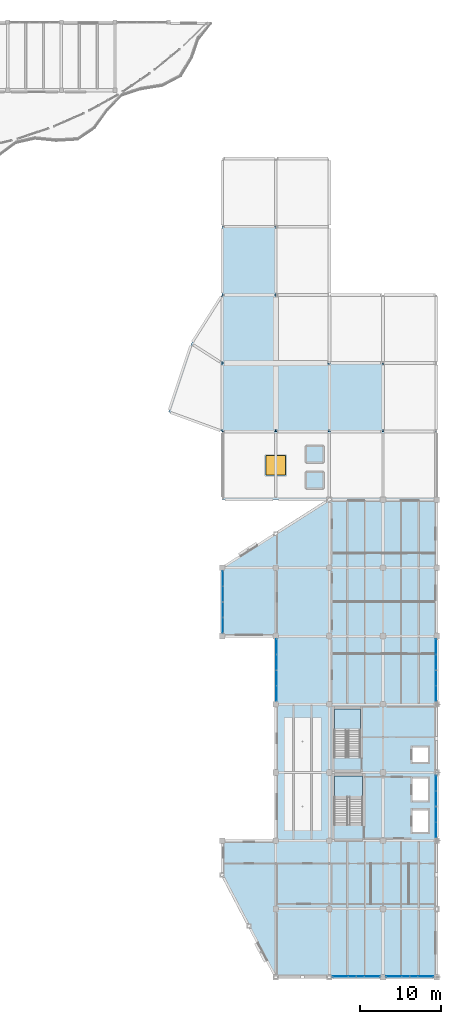
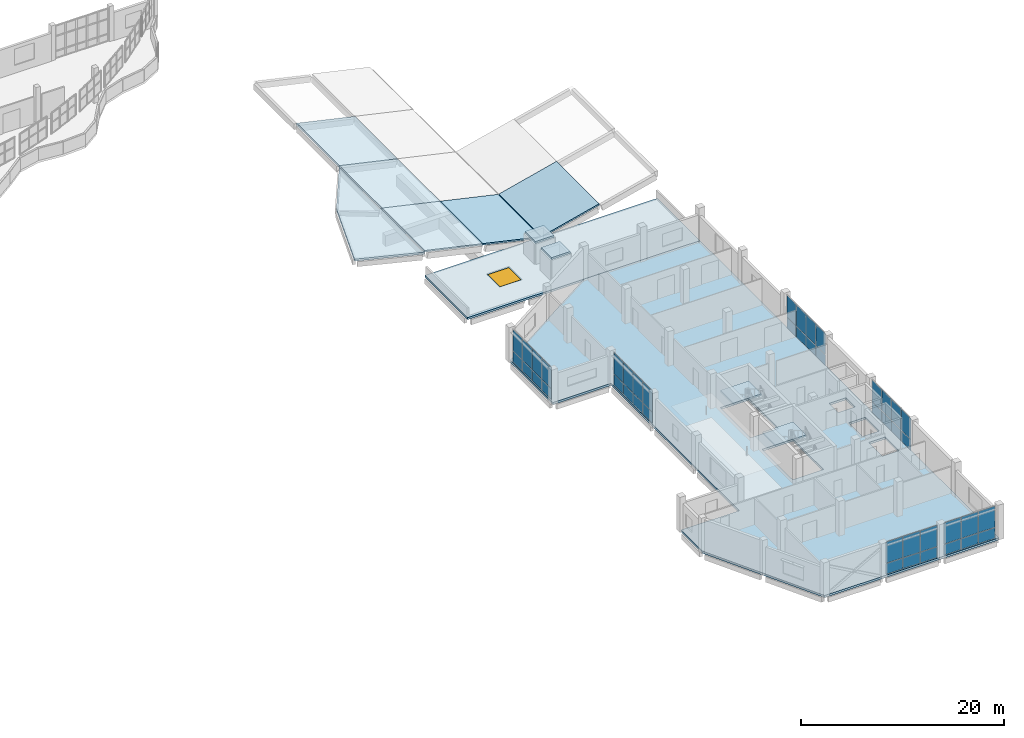
# One storey, part 31 of 47: 44 plates, 12 slabs, 1 window, 1 opening, 8 elements without a shape of their own.
"""IFC4 building model written with IfcOpenShell, lengths in metres."""

from ifc_helpers import new_model, si_unit, direction, frame, origin, origin_2d, place, context, subcontext, project, spatial, polyline, rectangle, outline, extrude, material, layer, layer_set, type_object, element, fill, aggregate, save


model = new_model("IFC4")

# Units and contexts
model_context = context("Model", 3, precision=1e-05, world=origin(), true_north=direction((0.0, 1.0)))
body_context = subcontext(model_context, "Body", "Model", "MODEL_VIEW")
ifc_project = project(units=[si_unit("LENGTHUNIT", "METRE"), si_unit("AREAUNIT", "SQUARE_METRE"), si_unit("VOLUMEUNIT", "CUBIC_METRE"), si_unit("PLANEANGLEUNIT", "RADIAN"), si_unit("MASSUNIT", "GRAM", prefix="KILO")], contexts=[model_context])

# Site, building, storey
site_placement = place(None, origin())
site = spatial("IfcSite", under=ifc_project, at=site_placement, CompositionType="ELEMENT")
building_placement = place(site_placement, origin())
building = spatial("IfcBuilding", under=site, at=building_placement, Name="Qaldarim Faculty of Natural and Applied Sciences", CompositionType="ELEMENT")
storey_placement = place(building_placement, frame((0.0, 0.0, 22.800048828125)))
storey = spatial("IfcBuildingStorey", under=building, at=storey_placement, Name="L05", CompositionType="ELEMENT", Elevation=22.800048828125)

# Slabs
ifc_material_1 = material(Name="Concrete C40/50", Category="concrete")
ifc_layer_1 = layer(ifc_material_1, 0.18994140625)
ifc_layer_set_1 = layer_set([ifc_layer_1], Name="Concrete C40/50")
slab_type_1 = type_object("IfcSlabType", Name="CommonsFoldedRoofSlab-190", PredefinedType="ROOF", material=ifc_layer_set_1)
slab_1_placement = place(storey_placement, frame((151.75830078125, 67.199951171875, 2.78466796875), z_axis=(0.219531946574, 0.0, 0.975605311811), x_axis=(0.975605311811, 0.0, -0.219531946574)))
element("IfcSlab", 1, at=slab_1_placement, inside=storey, type_object=slab_type_1, Name="Learning Commons folded butterfly roof panel X24Y09", PredefinedType="ROOF", context=body_context, shape_type="SweptSolid", body=[
    extrude(outline(polyline([(0.0, 0.0), (6.764880670212586, 0.0), (6.764880670212586, 8.400146484375), (0.0, 8.400146484375), (0.0, 0.0)])), origin(), (0.0, 0.0, 1.0), 0.18994140625),
])
for number, where, z_axis, x_axis, name in (
    (2, (151.75830078125, 75.60009765625, 2.78466796875), (0.219531946574, 0.0, 0.975605311811), (0.975605311811, 0.0, -0.219531946574), "Learning Commons folded butterfly roof panel X24Y10"),
    (3, (151.75830078125, 84.0, 2.78466796875), (0.219531946574, 0.0, 0.975605311811), (0.975605311811, 0.0, -0.219531946574), "Learning Commons folded butterfly roof panel X24Y11"),
):
    element("IfcSlab", number, at=place(storey_placement, frame(where, z_axis=z_axis, x_axis=x_axis)), inside=storey, type_object=slab_type_1, Name=name, PredefinedType="ROOF", context=body_context, shape_type="SweptSolid", body=[
        extrude(outline(polyline([(0.0, 0.0), (6.764880670212586, 0.0), (6.764880670212586, 8.39990234375), (0.0, 8.39990234375), (0.0, 0.0)])), origin(), (0.0, 0.0, 1.0), 0.18994140625),
    ])
slab_2_placement = place(storey_placement, frame((158.358154296875, 67.199951171875, 1.299560546875), z_axis=(0.219486275665, 0.0, 0.975615587614), x_axis=(0.975615587614, 0.0, -0.219486275665)))
element("IfcSlab", 4, at=slab_2_placement, inside=storey, type_object=slab_type_1, Name="Learning Commons folded butterfly roof panel X25Y09", PredefinedType="ROOF", context=body_context, shape_type="SweptSolid", body=[
    extrude(outline(polyline([(0.0, 0.0), (6.724019867083356, 0.0), (6.724019867083356, 8.400146484375), (0.0, 8.400146484375), (0.0, 0.0)])), origin(), (0.0, 0.0, 1.0), 0.18994140625),
])
slab_3_placement = place(storey_placement, frame((165.086181640625, 67.199951171875, -0.17431640625), z_axis=(-0.242518634316, 0.0, 0.970146747667), x_axis=(0.970146747667, 0.0, 0.242518634316)))
element("IfcSlab", 5, at=slab_3_placement, inside=storey, type_object=slab_type_1, Name="Learning Commons folded butterfly roof panel X26Y09", PredefinedType="ROOF", context=body_context, shape_type="SweptSolid", body=[
    extrude(outline(polyline([(0.0, 0.0), (6.761924017705515, 0.0), (6.761924017705515, 8.400146484375002), (0.0, 8.400146484375002), (0.0, 0.0)])), origin(), (0.0, 0.0, 1.0), 0.18994140625),
])

# Slab, opening, window
ifc_layer_2 = layer(ifc_material_1, 0.239990234375)
ifc_layer_set_2 = layer_set([ifc_layer_2], Name="Concrete C40/50")
slab_type_2 = type_object("IfcSlabType", Name="FlatStructuralRoofSlab-240", PredefinedType="ROOF", material=ifc_layer_set_2)
slab_4_placement = place(storey_placement, frame((0.0, 0.0, -0.239990234375)))
slab_4 = element("IfcSlab", 6, at=slab_4_placement, inside=storey, type_object=slab_type_2, Name="Learning Commons Core C maintenance roof slab L05", PredefinedType="ROOF", context=body_context, shape_type="SweptSolid", body=[
    extrude(outline(polyline([(151.800048828125, 58.800048828125), (178.199951171875, 58.800048828125), (178.199951171875, 67.199951171875), (151.800048828125, 67.199951171875), (151.800048828125, 58.800048828125)]), holes=[polyline([(157.199951171875, 61.800048828125), (159.60009765625, 61.800048828125), (159.60009765625, 64.199951171875), (157.199951171875, 64.199951171875), (157.199951171875, 61.800048828125)])]), origin(), (0.0, 0.0, 1.0), 0.239990234375),
])
opening_placement = place(slab_4_placement, frame((158.39990234375, 63.0, -0.010009765625)))
opening = element("IfcOpeningElement", 7, at=opening_placement, cuts=slab_4, Name="Opening SK01", PredefinedType="OPENING", context=body_context, shape_type="SweptSolid", body=[
    extrude(rectangle(XDim=2.39990234375, YDim=2.39990234375, at=origin_2d()), origin(), (0.0, 0.0, 1.0), 0.260009765625),
])
ifc_material_2 = material(Name="Insulated low-e double glazing", Category="glass")
window_type = type_object("IfcWindowType", Name="RoofSkylight-2400x2400", PartitioningType="SINGLE_PANEL", PredefinedType="SKYLIGHT", material=ifc_material_2)
window_placement = place(opening_placement, frame((0.0, 0.0, 0.199951171875)))
window = element("IfcWindow", 8, at=window_placement, inside=storey, type_object=window_type, Name="Learning Commons Core C roof access hatch skylight L05", OverallHeight=2.39990234375, OverallWidth=2.39990234375, PartitioningType="SINGLE_PANEL", PredefinedType="SKYLIGHT", context=body_context, shape_type="SweptSolid", body=[
    extrude(rectangle(XDim=2.39990234375, YDim=2.39990234375, at=origin_2d()), origin(), (0.0, 0.0, 1.0), 0.050048828125),
])
fill(opening, window)

# Slabs
slab_5_placement = place(storey_placement, frame((0.0, 0.0, 2.5400390625)))
element("IfcSlab", 9, at=slab_5_placement, inside=storey, type_object=slab_type_2, Name="Learning Commons gallery prow structural roof slab L05", PredefinedType="ROOF", context=body_context, shape_type="SweptSolid", body=[
    extrude(outline(polyline([(151.780029296875, 67.199951171875), (145.199951171875, 69.60009765625), (148.0, 78.0), (151.780029296875, 84.0), (151.780029296875, 67.199951171875)])), origin(), (0.0, 0.0, 1.0), 0.239990234375),
])
slab_6_placement = place(storey_placement, frame((0.0, 0.0, 2.5)))
element("IfcSlab", 10, at=slab_6_placement, inside=storey, type_object=slab_type_2, Name="Lift LF-C1 overrun roof cap", PredefinedType="ROOF", context=body_context, shape_type="SweptSolid", body=[
    extrude(outline(polyline([(162.125, 60.175048828125), (164.27490234375, 60.175048828125), (164.27490234375, 62.22509765625), (162.125, 62.22509765625), (162.125, 60.175048828125)])), origin(), (0.0, 0.0, 1.0), 0.239990234375),
])
slab_7_placement = place(storey_placement, frame((0.0, 0.0, 2.5)))
element("IfcSlab", 11, at=slab_7_placement, inside=storey, type_object=slab_type_2, Name="Lift LF-C2 overrun roof cap", PredefinedType="ROOF", context=body_context, shape_type="SweptSolid", body=[
    extrude(outline(polyline([(162.125, 63.375), (164.27490234375, 63.375), (164.27490234375, 65.425048828125), (162.125, 65.425048828125), (162.125, 63.375)])), origin(), (0.0, 0.0, 1.0), 0.239990234375),
])
ifc_layer_3 = layer(ifc_material_1, 0.260009765625)
ifc_layer_set_3 = layer_set([ifc_layer_3], Name="Concrete C40/50")
slab_type_3 = type_object("IfcSlabType", Name="LaboratoryFloorSlab-260", PredefinedType="FLOOR", material=ifc_layer_set_3)
slab_8_placement = place(storey_placement, frame((0.0, 0.0, -0.260009765625)))
element("IfcSlab", 12, at=slab_8_placement, inside=storey, type_object=slab_type_3, Name="Floor slab L05 V5", PredefinedType="FLOOR", context=body_context, shape_type="SweptSolid", body=[
    extrude(outline(polyline([(158.39990234375, 0.0), (178.199951171875, 0.0), (178.199951171875, 58.800048828125), (165.0, 58.800048828125), (151.800048828125, 50.39990234375), (151.800048828125, 42.0), (158.39990234375, 42.0), (158.39990234375, 16.800048828125), (151.800048828125, 16.800048828125), (151.800048828125, 12.60009765625), (158.39990234375, 0.0)]), holes=[polyline([(169.10009765625, 18.764892578125), (169.10009765625, 24.77490234375), (165.60009765625, 24.77490234375), (165.60009765625, 18.764892578125), (169.10009765625, 18.764892578125)]), polyline([(168.800048828125, 27.06494140625), (168.800048828125, 33.02490234375), (165.60009765625, 33.02490234375), (165.60009765625, 27.06494140625), (168.800048828125, 27.06494140625)]), polyline([(175.25, 17.85009765625), (177.14990234375, 17.85009765625), (177.14990234375, 20.550048828125), (175.25, 20.550048828125), (175.25, 17.85009765625)]), polyline([(175.25, 21.75), (177.14990234375, 21.75), (177.14990234375, 24.449951171875), (175.25, 24.449951171875), (175.25, 21.75)]), polyline([(175.25, 26.5), (177.14990234375, 26.5), (177.14990234375, 28.300048828125), (175.25, 28.300048828125), (175.25, 26.5)])]), origin(), (0.0, 0.0, 1.0), 0.260009765625),
])

# Stair, slab
stair_type_1 = type_object("IfcStairType", Name="DoglegStair-W1650-H4200-26R", PredefinedType="HALF_TURN_STAIR", material=ifc_material_1)
stair_1_placement = place(storey_placement, origin())
stair_1 = element("IfcStair", 13, at=stair_1_placement, inside=storey, type_object=stair_type_1, Name="Enclosed exit stair ST-A1 L05", PredefinedType="HALF_TURN_STAIR")
ifc_layer_4 = layer(ifc_material_1, 0.2099609375)
ifc_layer_set_4 = layer_set([ifc_layer_4], Name="Concrete C40/50")
slab_type_4 = type_object("IfcSlabType", Name="StairLandingSlab-210", PredefinedType="LANDING", material=ifc_layer_set_4)
slab_9_placement = place(storey_placement, frame((0.0, 0.0, 1.889892578125)))
slab_9 = element("IfcSlab", 14, at=slab_9_placement, type_object=slab_type_4, Name="ST-A1 L05 half-landing 1", PredefinedType="LANDING", context=body_context, shape_type="SweptSolid", body=[
    extrude(outline(polyline([(169.10009765625, 22.155029296875), (169.10009765625, 24.75), (165.60009765625, 24.75), (165.60009765625, 22.155029296875), (169.10009765625, 22.155029296875)])), origin(), (0.0, 0.0, 1.0), 0.2099609375),
])
aggregate(stair_1, [slab_9])

stair_type_2 = type_object("IfcStairType", Name="DoglegStair-W1500-H4200-26R", PredefinedType="HALF_TURN_STAIR", material=ifc_material_1)
stair_2_placement = place(storey_placement, origin())
stair_2 = element("IfcStair", 15, at=stair_2_placement, inside=storey, type_object=stair_type_2, Name="Enclosed exit stair ST-A2 L05", PredefinedType="HALF_TURN_STAIR")
slab_10_placement = place(storey_placement, frame((0.0, 0.0, 1.889892578125)))
slab_10 = element("IfcSlab", 16, at=slab_10_placement, type_object=slab_type_4, Name="ST-A2 L05 half-landing 1", PredefinedType="LANDING", context=body_context, shape_type="SweptSolid", body=[
    extrude(outline(polyline([(168.800048828125, 30.455078125), (168.800048828125, 33.0), (165.60009765625, 33.0), (165.60009765625, 30.455078125), (168.800048828125, 30.455078125)])), origin(), (0.0, 0.0, 1.0), 0.2099609375),
])
aggregate(stair_2, [slab_10])

# Curtain wall, plates
ifc_material_3 = material(Name="Anodised aluminium AW-6063", Category="aluminium")
curtain_wall_type = type_object("IfcCurtainWallType", Name="CurtainWallSystem-M1800", PredefinedType="USERDEFINED", material=ifc_material_3)
curtain_wall_1_placement = place(storey_placement, origin())
curtain_wall_1 = element("IfcCurtainWall", 17, at=curtain_wall_1_placement, inside=storey, type_object=curtain_wall_type, Name="Curtain wall CW-L05-W-X24Y06", ObjectType="UNITISED FACADE", PredefinedType="USERDEFINED")
ifc_layer_5 = layer(ifc_material_2, 0.028076171875)
ifc_layer_set_5 = layer_set([ifc_layer_5], Name="Insulated low-e double glazing")
plate_type = type_object("IfcPlateType", Name="VisionGlazingPanel-28", PredefinedType="CURTAIN_PANEL", material=ifc_layer_set_5)
plate_1_placement = place(storey_placement, frame((151.8798828125, 49.076416015625, 0.06005859375), z_axis=(0.0, 0.0, 1.0), x_axis=(0.0, -1.0, 0.0)))
plate_1 = element("IfcPlate", 18, at=plate_1_placement, type_object=plate_type, Name="Glazed panel 1-1 of CW-L05-W-X24Y06", PredefinedType="CURTAIN_PANEL", context=body_context, shape_type="SweptSolid", body=[
    extrude(rectangle(XDim=1.83740234375, YDim=0.028076171875, at=origin_2d()), origin(), (0.0, 0.0, 1.0), 1.260009765625),
])
plate_2_placement = place(storey_placement, frame((151.8798828125, 49.076416015625, 1.3798828125), z_axis=(0.0, 0.0, 1.0), x_axis=(0.0, -1.0, 0.0)))
plate_2 = element("IfcPlate", 19, at=plate_2_placement, type_object=plate_type, Name="Glazed panel 1-2 of CW-L05-W-X24Y06", PredefinedType="CURTAIN_PANEL", context=body_context, shape_type="SweptSolid", body=[
    extrude(rectangle(XDim=1.83740234375, YDim=0.028076171875, at=origin_2d()), origin(), (0.0, 0.0, 1.0), 2.5400390625),
])
plate_3_placement = place(storey_placement, frame((151.8798828125, 47.163818359375, 0.06005859375), z_axis=(0.0, 0.0, 1.0), x_axis=(0.0, -1.0, 0.0)))
plate_3 = element("IfcPlate", 20, at=plate_3_placement, type_object=plate_type, Name="Glazed panel 2-1 of CW-L05-W-X24Y06", PredefinedType="CURTAIN_PANEL", context=body_context, shape_type="SweptSolid", body=[
    extrude(rectangle(XDim=1.867431640625, YDim=0.028076171875, at=origin_2d()), origin(), (0.0, 0.0, 1.0), 1.260009765625),
])
plate_4_placement = place(storey_placement, frame((151.8798828125, 47.163818359375, 1.3798828125), z_axis=(0.0, 0.0, 1.0), x_axis=(0.0, -1.0, 0.0)))
plate_4 = element("IfcPlate", 21, at=plate_4_placement, type_object=plate_type, Name="Glazed panel 2-2 of CW-L05-W-X24Y06", PredefinedType="CURTAIN_PANEL", context=body_context, shape_type="SweptSolid", body=[
    extrude(rectangle(XDim=1.867431640625, YDim=0.028076171875, at=origin_2d()), origin(), (0.0, 0.0, 1.0), 2.5400390625),
])
plate_5_placement = place(storey_placement, frame((151.8798828125, 45.236083984375, 0.06005859375), z_axis=(0.0, 0.0, 1.0), x_axis=(0.0, -1.0, 0.0)))
plate_5 = element("IfcPlate", 22, at=plate_5_placement, type_object=plate_type, Name="Glazed panel 3-1 of CW-L05-W-X24Y06", PredefinedType="CURTAIN_PANEL", context=body_context, shape_type="SweptSolid", body=[
    extrude(rectangle(XDim=1.867431640625, YDim=0.028076171875, at=origin_2d()), origin(), (0.0, 0.0, 1.0), 1.260009765625),
])
plate_6_placement = place(storey_placement, frame((151.8798828125, 45.236083984375, 1.3798828125), z_axis=(0.0, 0.0, 1.0), x_axis=(0.0, -1.0, 0.0)))
plate_6 = element("IfcPlate", 23, at=plate_6_placement, type_object=plate_type, Name="Glazed panel 3-2 of CW-L05-W-X24Y06", PredefinedType="CURTAIN_PANEL", context=body_context, shape_type="SweptSolid", body=[
    extrude(rectangle(XDim=1.867431640625, YDim=0.028076171875, at=origin_2d()), origin(), (0.0, 0.0, 1.0), 2.5400390625),
])
plate_7_placement = place(storey_placement, frame((151.8798828125, 43.32373046875, 0.06005859375), z_axis=(0.0, 0.0, 1.0), x_axis=(0.0, -1.0, 0.0)))
plate_7 = element("IfcPlate", 24, at=plate_7_placement, type_object=plate_type, Name="Glazed panel 4-1 of CW-L05-W-X24Y06", PredefinedType="CURTAIN_PANEL", context=body_context, shape_type="SweptSolid", body=[
    extrude(rectangle(XDim=1.83740234375, YDim=0.028076171875, at=origin_2d()), origin(), (0.0, 0.0, 1.0), 1.260009765625),
])
plate_8_placement = place(storey_placement, frame((151.8798828125, 43.32373046875, 1.3798828125), z_axis=(0.0, 0.0, 1.0), x_axis=(0.0, -1.0, 0.0)))
plate_8 = element("IfcPlate", 25, at=plate_8_placement, type_object=plate_type, Name="Glazed panel 4-2 of CW-L05-W-X24Y06", PredefinedType="CURTAIN_PANEL", context=body_context, shape_type="SweptSolid", body=[
    extrude(rectangle(XDim=1.83740234375, YDim=0.028076171875, at=origin_2d()), origin(), (0.0, 0.0, 1.0), 2.5400390625),
])
aggregate(curtain_wall_1, [plate_1, plate_2, plate_3, plate_4, plate_5, plate_6, plate_7, plate_8])

curtain_wall_2_placement = place(storey_placement, origin())
curtain_wall_2 = element("IfcCurtainWall", 26, at=curtain_wall_2_placement, inside=storey, type_object=curtain_wall_type, Name="Curtain wall CW-L05-W-X25Y05", ObjectType="UNITISED FACADE", PredefinedType="USERDEFINED")
plate_9_placement = place(storey_placement, frame((158.47998046875, 40.67626953125, 0.06005859375), z_axis=(0.0, 0.0, 1.0), x_axis=(0.0, -1.0, 0.0)))
plate_9 = element("IfcPlate", 27, at=plate_9_placement, type_object=plate_type, Name="Glazed panel 1-1 of CW-L05-W-X25Y05", PredefinedType="CURTAIN_PANEL", context=body_context, shape_type="SweptSolid", body=[
    extrude(rectangle(XDim=1.83740234375, YDim=0.028076171875, at=origin_2d()), origin(), (0.0, 0.0, 1.0), 1.260009765625),
])
plate_10_placement = place(storey_placement, frame((158.47998046875, 40.67626953125, 1.3798828125), z_axis=(0.0, 0.0, 1.0), x_axis=(0.0, -1.0, 0.0)))
plate_10 = element("IfcPlate", 28, at=plate_10_placement, type_object=plate_type, Name="Glazed panel 1-2 of CW-L05-W-X25Y05", PredefinedType="CURTAIN_PANEL", context=body_context, shape_type="SweptSolid", body=[
    extrude(rectangle(XDim=1.83740234375, YDim=0.028076171875, at=origin_2d()), origin(), (0.0, 0.0, 1.0), 2.5400390625),
])
plate_11_placement = place(storey_placement, frame((158.47998046875, 38.763916015625, 0.06005859375), z_axis=(0.0, 0.0, 1.0), x_axis=(0.0, -1.0, 0.0)))
plate_11 = element("IfcPlate", 29, at=plate_11_placement, type_object=plate_type, Name="Glazed panel 2-1 of CW-L05-W-X25Y05", PredefinedType="CURTAIN_PANEL", context=body_context, shape_type="SweptSolid", body=[
    extrude(rectangle(XDim=1.867431640625, YDim=0.028076171875, at=origin_2d()), origin(), (0.0, 0.0, 1.0), 1.260009765625),
])
plate_12_placement = place(storey_placement, frame((158.47998046875, 38.763916015625, 1.3798828125), z_axis=(0.0, 0.0, 1.0), x_axis=(0.0, -1.0, 0.0)))
plate_12 = element("IfcPlate", 30, at=plate_12_placement, type_object=plate_type, Name="Glazed panel 2-2 of CW-L05-W-X25Y05", PredefinedType="CURTAIN_PANEL", context=body_context, shape_type="SweptSolid", body=[
    extrude(rectangle(XDim=1.867431640625, YDim=0.028076171875, at=origin_2d()), origin(), (0.0, 0.0, 1.0), 2.5400390625),
])
plate_13_placement = place(storey_placement, frame((158.47998046875, 36.836181640625, 0.06005859375), z_axis=(0.0, 0.0, 1.0), x_axis=(0.0, -1.0, 0.0)))
plate_13 = element("IfcPlate", 31, at=plate_13_placement, type_object=plate_type, Name="Glazed panel 3-1 of CW-L05-W-X25Y05", PredefinedType="CURTAIN_PANEL", context=body_context, shape_type="SweptSolid", body=[
    extrude(rectangle(XDim=1.867431640625, YDim=0.028076171875, at=origin_2d()), origin(), (0.0, 0.0, 1.0), 1.260009765625),
])
plate_14_placement = place(storey_placement, frame((158.47998046875, 36.836181640625, 1.3798828125), z_axis=(0.0, 0.0, 1.0), x_axis=(0.0, -1.0, 0.0)))
plate_14 = element("IfcPlate", 32, at=plate_14_placement, type_object=plate_type, Name="Glazed panel 3-2 of CW-L05-W-X25Y05", PredefinedType="CURTAIN_PANEL", context=body_context, shape_type="SweptSolid", body=[
    extrude(rectangle(XDim=1.867431640625, YDim=0.028076171875, at=origin_2d()), origin(), (0.0, 0.0, 1.0), 2.5400390625),
])
plate_15_placement = place(storey_placement, frame((158.47998046875, 34.923583984375, 0.06005859375), z_axis=(0.0, 0.0, 1.0), x_axis=(0.0, -1.0, 0.0)))
plate_15 = element("IfcPlate", 33, at=plate_15_placement, type_object=plate_type, Name="Glazed panel 4-1 of CW-L05-W-X25Y05", PredefinedType="CURTAIN_PANEL", context=body_context, shape_type="SweptSolid", body=[
    extrude(rectangle(XDim=1.83740234375, YDim=0.028076171875, at=origin_2d()), origin(), (0.0, 0.0, 1.0), 1.260009765625),
])
plate_16_placement = place(storey_placement, frame((158.47998046875, 34.923583984375, 1.3798828125), z_axis=(0.0, 0.0, 1.0), x_axis=(0.0, -1.0, 0.0)))
plate_16 = element("IfcPlate", 34, at=plate_16_placement, type_object=plate_type, Name="Glazed panel 4-2 of CW-L05-W-X25Y05", PredefinedType="CURTAIN_PANEL", context=body_context, shape_type="SweptSolid", body=[
    extrude(rectangle(XDim=1.83740234375, YDim=0.028076171875, at=origin_2d()), origin(), (0.0, 0.0, 1.0), 2.5400390625),
])
aggregate(curtain_wall_2, [plate_9, plate_10, plate_11, plate_12, plate_13, plate_14, plate_15, plate_16])

curtain_wall_3_placement = place(storey_placement, origin())
curtain_wall_3 = element("IfcCurtainWall", 35, at=curtain_wall_3_placement, inside=storey, type_object=curtain_wall_type, Name="Curtain wall CW-L05-S-X26Y01", ObjectType="UNITISED FACADE", PredefinedType="USERDEFINED")
plate_17_placement = place(storey_placement, frame((166.344970703125, 0.080078125, 0.06005859375), z_axis=(0.0, 0.0, 1.0), x_axis=(1.0, 0.0, 0.0)))
plate_17 = element("IfcPlate", 36, at=plate_17_placement, type_object=plate_type, Name="Glazed panel 1-1 of CW-L05-S-X26Y01", PredefinedType="CURTAIN_PANEL", context=body_context, shape_type="SweptSolid", body=[
    extrude(rectangle(XDim=1.8798828125, YDim=0.028076171875, at=origin_2d()), origin(), (0.0, 0.0, 1.0), 1.260009765625),
])
plate_18_placement = place(storey_placement, frame((166.344970703125, 0.080078125, 1.3798828125), z_axis=(0.0, 0.0, 1.0), x_axis=(1.0, 0.0, 0.0)))
plate_18 = element("IfcPlate", 37, at=plate_18_placement, type_object=plate_type, Name="Glazed panel 1-2 of CW-L05-S-X26Y01", PredefinedType="CURTAIN_PANEL", context=body_context, shape_type="SweptSolid", body=[
    extrude(rectangle(XDim=1.8798828125, YDim=0.028076171875, at=origin_2d()), origin(), (0.0, 0.0, 1.0), 2.5400390625),
])
plate_19_placement = place(storey_placement, frame((168.300048828125, 0.080078125, 0.06005859375), z_axis=(0.0, 0.0, 1.0), x_axis=(1.0, 0.0, 0.0)))
plate_19 = element("IfcPlate", 38, at=plate_19_placement, type_object=plate_type, Name="Glazed panel 2-1 of CW-L05-S-X26Y01", PredefinedType="CURTAIN_PANEL", context=body_context, shape_type="SweptSolid", body=[
    extrude(rectangle(XDim=1.909912109375, YDim=0.028076171875, at=origin_2d()), origin(), (0.0, 0.0, 1.0), 1.260009765625),
])
plate_20_placement = place(storey_placement, frame((168.300048828125, 0.080078125, 1.3798828125), z_axis=(0.0, 0.0, 1.0), x_axis=(1.0, 0.0, 0.0)))
plate_20 = element("IfcPlate", 39, at=plate_20_placement, type_object=plate_type, Name="Glazed panel 2-2 of CW-L05-S-X26Y01", PredefinedType="CURTAIN_PANEL", context=body_context, shape_type="SweptSolid", body=[
    extrude(rectangle(XDim=1.909912109375, YDim=0.028076171875, at=origin_2d()), origin(), (0.0, 0.0, 1.0), 2.5400390625),
])
plate_21_placement = place(storey_placement, frame((170.2548828125, 0.080078125, 0.06005859375), z_axis=(0.0, 0.0, 1.0), x_axis=(1.0, 0.0, 0.0)))
plate_21 = element("IfcPlate", 40, at=plate_21_placement, type_object=plate_type, Name="Glazed panel 3-1 of CW-L05-S-X26Y01", PredefinedType="CURTAIN_PANEL", context=body_context, shape_type="SweptSolid", body=[
    extrude(rectangle(XDim=1.8798828125, YDim=0.028076171875, at=origin_2d()), origin(), (0.0, 0.0, 1.0), 1.260009765625),
])
plate_22_placement = place(storey_placement, frame((170.2548828125, 0.080078125, 1.3798828125), z_axis=(0.0, 0.0, 1.0), x_axis=(1.0, 0.0, 0.0)))
plate_22 = element("IfcPlate", 41, at=plate_22_placement, type_object=plate_type, Name="Glazed panel 3-2 of CW-L05-S-X26Y01", PredefinedType="CURTAIN_PANEL", context=body_context, shape_type="SweptSolid", body=[
    extrude(rectangle(XDim=1.8798828125, YDim=0.028076171875, at=origin_2d()), origin(), (0.0, 0.0, 1.0), 2.5400390625),
])
aggregate(curtain_wall_3, [plate_17, plate_18, plate_19, plate_20, plate_21, plate_22])

curtain_wall_4_placement = place(storey_placement, origin())
curtain_wall_4 = element("IfcCurtainWall", 42, at=curtain_wall_4_placement, inside=storey, type_object=curtain_wall_type, Name="Curtain wall CW-L05-S-X27Y01", ObjectType="UNITISED FACADE", PredefinedType="USERDEFINED")
plate_23_placement = place(storey_placement, frame((172.945068359375, 0.080078125, 0.06005859375), z_axis=(0.0, 0.0, 1.0), x_axis=(1.0, 0.0, 0.0)))
plate_23 = element("IfcPlate", 43, at=plate_23_placement, type_object=plate_type, Name="Glazed panel 1-1 of CW-L05-S-X27Y01", PredefinedType="CURTAIN_PANEL", context=body_context, shape_type="SweptSolid", body=[
    extrude(rectangle(XDim=1.8798828125, YDim=0.028076171875, at=origin_2d()), origin(), (0.0, 0.0, 1.0), 1.260009765625),
])
plate_24_placement = place(storey_placement, frame((172.945068359375, 0.080078125, 1.3798828125), z_axis=(0.0, 0.0, 1.0), x_axis=(1.0, 0.0, 0.0)))
plate_24 = element("IfcPlate", 44, at=plate_24_placement, type_object=plate_type, Name="Glazed panel 1-2 of CW-L05-S-X27Y01", PredefinedType="CURTAIN_PANEL", context=body_context, shape_type="SweptSolid", body=[
    extrude(rectangle(XDim=1.8798828125, YDim=0.028076171875, at=origin_2d()), origin(), (0.0, 0.0, 1.0), 2.5400390625),
])
plate_25_placement = place(storey_placement, frame((174.89990234375, 0.080078125, 0.06005859375), z_axis=(0.0, 0.0, 1.0), x_axis=(1.0, 0.0, 0.0)))
plate_25 = element("IfcPlate", 45, at=plate_25_placement, type_object=plate_type, Name="Glazed panel 2-1 of CW-L05-S-X27Y01", PredefinedType="CURTAIN_PANEL", context=body_context, shape_type="SweptSolid", body=[
    extrude(rectangle(XDim=1.909912109375, YDim=0.028076171875, at=origin_2d()), origin(), (0.0, 0.0, 1.0), 1.260009765625),
])
plate_26_placement = place(storey_placement, frame((174.89990234375, 0.080078125, 1.3798828125), z_axis=(0.0, 0.0, 1.0), x_axis=(1.0, 0.0, 0.0)))
plate_26 = element("IfcPlate", 46, at=plate_26_placement, type_object=plate_type, Name="Glazed panel 2-2 of CW-L05-S-X27Y01", PredefinedType="CURTAIN_PANEL", context=body_context, shape_type="SweptSolid", body=[
    extrude(rectangle(XDim=1.909912109375, YDim=0.028076171875, at=origin_2d()), origin(), (0.0, 0.0, 1.0), 2.5400390625),
])
plate_27_placement = place(storey_placement, frame((176.85498046875, 0.080078125, 0.06005859375), z_axis=(0.0, 0.0, 1.0), x_axis=(1.0, 0.0, 0.0)))
plate_27 = element("IfcPlate", 47, at=plate_27_placement, type_object=plate_type, Name="Glazed panel 3-1 of CW-L05-S-X27Y01", PredefinedType="CURTAIN_PANEL", context=body_context, shape_type="SweptSolid", body=[
    extrude(rectangle(XDim=1.8798828125, YDim=0.028076171875, at=origin_2d()), origin(), (0.0, 0.0, 1.0), 1.260009765625),
])
plate_28_placement = place(storey_placement, frame((176.85498046875, 0.080078125, 1.3798828125), z_axis=(0.0, 0.0, 1.0), x_axis=(1.0, 0.0, 0.0)))
plate_28 = element("IfcPlate", 48, at=plate_28_placement, type_object=plate_type, Name="Glazed panel 3-2 of CW-L05-S-X27Y01", PredefinedType="CURTAIN_PANEL", context=body_context, shape_type="SweptSolid", body=[
    extrude(rectangle(XDim=1.8798828125, YDim=0.028076171875, at=origin_2d()), origin(), (0.0, 0.0, 1.0), 2.5400390625),
])
aggregate(curtain_wall_4, [plate_23, plate_24, plate_25, plate_26, plate_27, plate_28])

curtain_wall_5_placement = place(storey_placement, origin())
curtain_wall_5 = element("IfcCurtainWall", 49, at=curtain_wall_5_placement, inside=storey, type_object=curtain_wall_type, Name="Curtain wall CW-L05-E-X27Y03", ObjectType="UNITISED FACADE", PredefinedType="USERDEFINED")
plate_29_placement = place(storey_placement, frame((178.1201171875, 18.123779296875, 0.06005859375), z_axis=(0.0, 0.0, 1.0), x_axis=(0.0, 1.0, 0.0)))
plate_29 = element("IfcPlate", 50, at=plate_29_placement, type_object=plate_type, Name="Glazed panel 1-1 of CW-L05-E-X27Y03", PredefinedType="CURTAIN_PANEL", context=body_context, shape_type="SweptSolid", body=[
    extrude(rectangle(XDim=1.83740234375, YDim=0.028076171875, at=origin_2d()), origin(), (0.0, 0.0, 1.0), 1.260009765625),
])
plate_30_placement = place(storey_placement, frame((178.1201171875, 18.123779296875, 1.3798828125), z_axis=(0.0, 0.0, 1.0), x_axis=(0.0, 1.0, 0.0)))
plate_30 = element("IfcPlate", 51, at=plate_30_placement, type_object=plate_type, Name="Glazed panel 1-2 of CW-L05-E-X27Y03", PredefinedType="CURTAIN_PANEL", context=body_context, shape_type="SweptSolid", body=[
    extrude(rectangle(XDim=1.83740234375, YDim=0.028076171875, at=origin_2d()), origin(), (0.0, 0.0, 1.0), 2.5400390625),
])
plate_31_placement = place(storey_placement, frame((178.1201171875, 20.0361328125, 0.06005859375), z_axis=(0.0, 0.0, 1.0), x_axis=(0.0, 1.0, 0.0)))
plate_31 = element("IfcPlate", 52, at=plate_31_placement, type_object=plate_type, Name="Glazed panel 2-1 of CW-L05-E-X27Y03", PredefinedType="CURTAIN_PANEL", context=body_context, shape_type="SweptSolid", body=[
    extrude(rectangle(XDim=1.867431640625, YDim=0.028076171875, at=origin_2d()), origin(), (0.0, 0.0, 1.0), 1.260009765625),
])
plate_32_placement = place(storey_placement, frame((178.1201171875, 20.0361328125, 1.3798828125), z_axis=(0.0, 0.0, 1.0), x_axis=(0.0, 1.0, 0.0)))
plate_32 = element("IfcPlate", 53, at=plate_32_placement, type_object=plate_type, Name="Glazed panel 2-2 of CW-L05-E-X27Y03", PredefinedType="CURTAIN_PANEL", context=body_context, shape_type="SweptSolid", body=[
    extrude(rectangle(XDim=1.867431640625, YDim=0.028076171875, at=origin_2d()), origin(), (0.0, 0.0, 1.0), 2.5400390625),
])
plate_33_placement = place(storey_placement, frame((178.1201171875, 21.9638671875, 0.06005859375), z_axis=(0.0, 0.0, 1.0), x_axis=(0.0, 1.0, 0.0)))
plate_33 = element("IfcPlate", 54, at=plate_33_placement, type_object=plate_type, Name="Glazed panel 3-1 of CW-L05-E-X27Y03", PredefinedType="CURTAIN_PANEL", context=body_context, shape_type="SweptSolid", body=[
    extrude(rectangle(XDim=1.867431640625, YDim=0.028076171875, at=origin_2d()), origin(), (0.0, 0.0, 1.0), 1.260009765625),
])
plate_34_placement = place(storey_placement, frame((178.1201171875, 21.9638671875, 1.3798828125), z_axis=(0.0, 0.0, 1.0), x_axis=(0.0, 1.0, 0.0)))
plate_34 = element("IfcPlate", 55, at=plate_34_placement, type_object=plate_type, Name="Glazed panel 3-2 of CW-L05-E-X27Y03", PredefinedType="CURTAIN_PANEL", context=body_context, shape_type="SweptSolid", body=[
    extrude(rectangle(XDim=1.867431640625, YDim=0.028076171875, at=origin_2d()), origin(), (0.0, 0.0, 1.0), 2.5400390625),
])
plate_35_placement = place(storey_placement, frame((178.1201171875, 23.876220703125, 0.06005859375), z_axis=(0.0, 0.0, 1.0), x_axis=(0.0, 1.0, 0.0)))
plate_35 = element("IfcPlate", 56, at=plate_35_placement, type_object=plate_type, Name="Glazed panel 4-1 of CW-L05-E-X27Y03", PredefinedType="CURTAIN_PANEL", context=body_context, shape_type="SweptSolid", body=[
    extrude(rectangle(XDim=1.83740234375, YDim=0.028076171875, at=origin_2d()), origin(), (0.0, 0.0, 1.0), 1.260009765625),
])
plate_36_placement = place(storey_placement, frame((178.1201171875, 23.876220703125, 1.3798828125), z_axis=(0.0, 0.0, 1.0), x_axis=(0.0, 1.0, 0.0)))
plate_36 = element("IfcPlate", 57, at=plate_36_placement, type_object=plate_type, Name="Glazed panel 4-2 of CW-L05-E-X27Y03", PredefinedType="CURTAIN_PANEL", context=body_context, shape_type="SweptSolid", body=[
    extrude(rectangle(XDim=1.83740234375, YDim=0.028076171875, at=origin_2d()), origin(), (0.0, 0.0, 1.0), 2.5400390625),
])
aggregate(curtain_wall_5, [plate_29, plate_30, plate_31, plate_32, plate_33, plate_34, plate_35, plate_36])

curtain_wall_6_placement = place(storey_placement, origin())
curtain_wall_6 = element("IfcCurtainWall", 58, at=curtain_wall_6_placement, inside=storey, type_object=curtain_wall_type, Name="Curtain wall CW-L05-E-X27Y05", ObjectType="UNITISED FACADE", PredefinedType="USERDEFINED")
plate_37_placement = place(storey_placement, frame((178.1201171875, 34.923583984375, 0.06005859375), z_axis=(0.0, 0.0, 1.0), x_axis=(0.0, 1.0, 0.0)))
plate_37 = element("IfcPlate", 59, at=plate_37_placement, type_object=plate_type, Name="Glazed panel 1-1 of CW-L05-E-X27Y05", PredefinedType="CURTAIN_PANEL", context=body_context, shape_type="SweptSolid", body=[
    extrude(rectangle(XDim=1.83740234375, YDim=0.028076171875, at=origin_2d()), origin(), (0.0, 0.0, 1.0), 1.260009765625),
])
plate_38_placement = place(storey_placement, frame((178.1201171875, 34.923583984375, 1.3798828125), z_axis=(0.0, 0.0, 1.0), x_axis=(0.0, 1.0, 0.0)))
plate_38 = element("IfcPlate", 60, at=plate_38_placement, type_object=plate_type, Name="Glazed panel 1-2 of CW-L05-E-X27Y05", PredefinedType="CURTAIN_PANEL", context=body_context, shape_type="SweptSolid", body=[
    extrude(rectangle(XDim=1.83740234375, YDim=0.028076171875, at=origin_2d()), origin(), (0.0, 0.0, 1.0), 2.5400390625),
])
plate_39_placement = place(storey_placement, frame((178.1201171875, 36.836181640625, 0.06005859375), z_axis=(0.0, 0.0, 1.0), x_axis=(0.0, 1.0, 0.0)))
plate_39 = element("IfcPlate", 61, at=plate_39_placement, type_object=plate_type, Name="Glazed panel 2-1 of CW-L05-E-X27Y05", PredefinedType="CURTAIN_PANEL", context=body_context, shape_type="SweptSolid", body=[
    extrude(rectangle(XDim=1.867431640625, YDim=0.028076171875, at=origin_2d()), origin(), (0.0, 0.0, 1.0), 1.260009765625),
])
plate_40_placement = place(storey_placement, frame((178.1201171875, 36.836181640625, 1.3798828125), z_axis=(0.0, 0.0, 1.0), x_axis=(0.0, 1.0, 0.0)))
plate_40 = element("IfcPlate", 62, at=plate_40_placement, type_object=plate_type, Name="Glazed panel 2-2 of CW-L05-E-X27Y05", PredefinedType="CURTAIN_PANEL", context=body_context, shape_type="SweptSolid", body=[
    extrude(rectangle(XDim=1.867431640625, YDim=0.028076171875, at=origin_2d()), origin(), (0.0, 0.0, 1.0), 2.5400390625),
])
plate_41_placement = place(storey_placement, frame((178.1201171875, 38.763916015625, 0.06005859375), z_axis=(0.0, 0.0, 1.0), x_axis=(0.0, 1.0, 0.0)))
plate_41 = element("IfcPlate", 63, at=plate_41_placement, type_object=plate_type, Name="Glazed panel 3-1 of CW-L05-E-X27Y05", PredefinedType="CURTAIN_PANEL", context=body_context, shape_type="SweptSolid", body=[
    extrude(rectangle(XDim=1.867431640625, YDim=0.028076171875, at=origin_2d()), origin(), (0.0, 0.0, 1.0), 1.260009765625),
])
plate_42_placement = place(storey_placement, frame((178.1201171875, 38.763916015625, 1.3798828125), z_axis=(0.0, 0.0, 1.0), x_axis=(0.0, 1.0, 0.0)))
plate_42 = element("IfcPlate", 64, at=plate_42_placement, type_object=plate_type, Name="Glazed panel 3-2 of CW-L05-E-X27Y05", PredefinedType="CURTAIN_PANEL", context=body_context, shape_type="SweptSolid", body=[
    extrude(rectangle(XDim=1.867431640625, YDim=0.028076171875, at=origin_2d()), origin(), (0.0, 0.0, 1.0), 2.5400390625),
])
plate_43_placement = place(storey_placement, frame((178.1201171875, 40.67626953125, 0.06005859375), z_axis=(0.0, 0.0, 1.0), x_axis=(0.0, 1.0, 0.0)))
plate_43 = element("IfcPlate", 65, at=plate_43_placement, type_object=plate_type, Name="Glazed panel 4-1 of CW-L05-E-X27Y05", PredefinedType="CURTAIN_PANEL", context=body_context, shape_type="SweptSolid", body=[
    extrude(rectangle(XDim=1.83740234375, YDim=0.028076171875, at=origin_2d()), origin(), (0.0, 0.0, 1.0), 1.260009765625),
])
plate_44_placement = place(storey_placement, frame((178.1201171875, 40.67626953125, 1.3798828125), z_axis=(0.0, 0.0, 1.0), x_axis=(0.0, 1.0, 0.0)))
plate_44 = element("IfcPlate", 66, at=plate_44_placement, type_object=plate_type, Name="Glazed panel 4-2 of CW-L05-E-X27Y05", PredefinedType="CURTAIN_PANEL", context=body_context, shape_type="SweptSolid", body=[
    extrude(rectangle(XDim=1.83740234375, YDim=0.028076171875, at=origin_2d()), origin(), (0.0, 0.0, 1.0), 2.5400390625),
])
aggregate(curtain_wall_6, [plate_37, plate_38, plate_39, plate_40, plate_41, plate_42, plate_43, plate_44])

save(model, "model.ifc")
